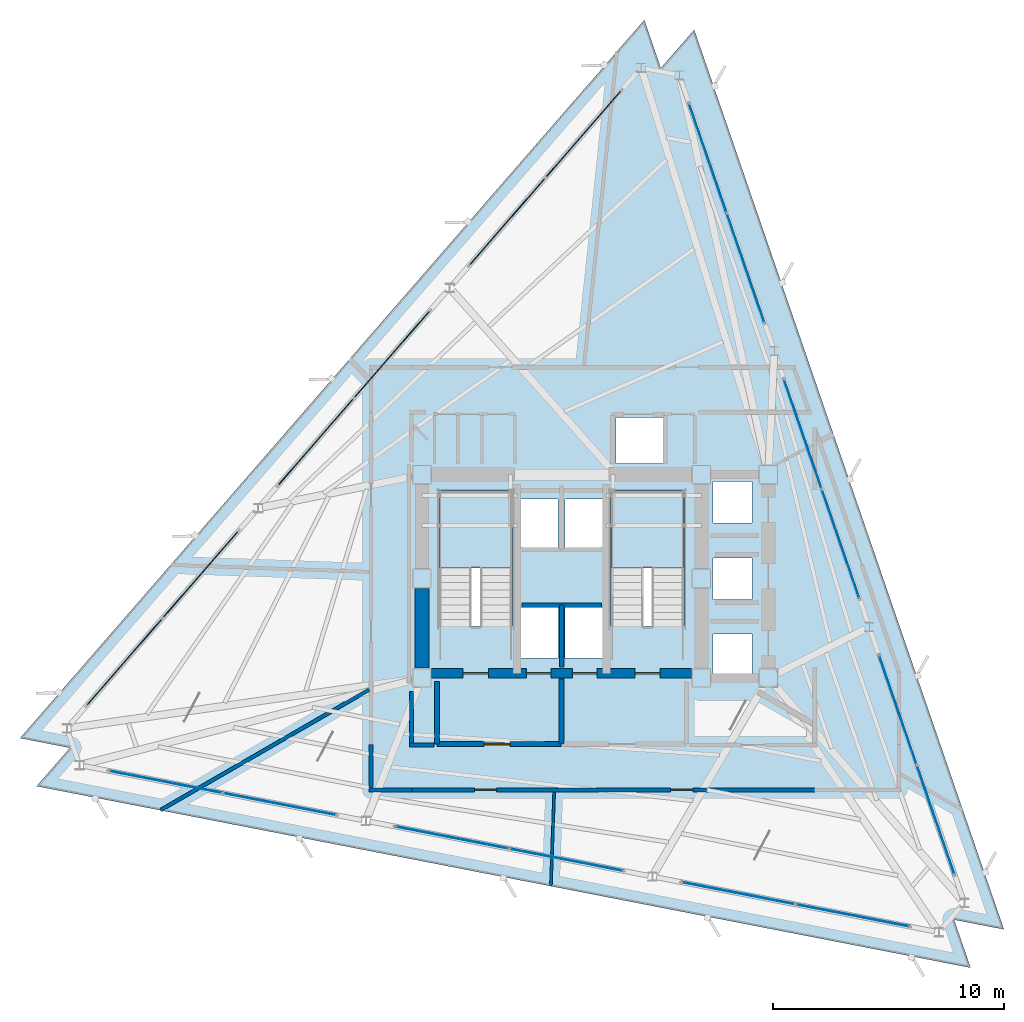
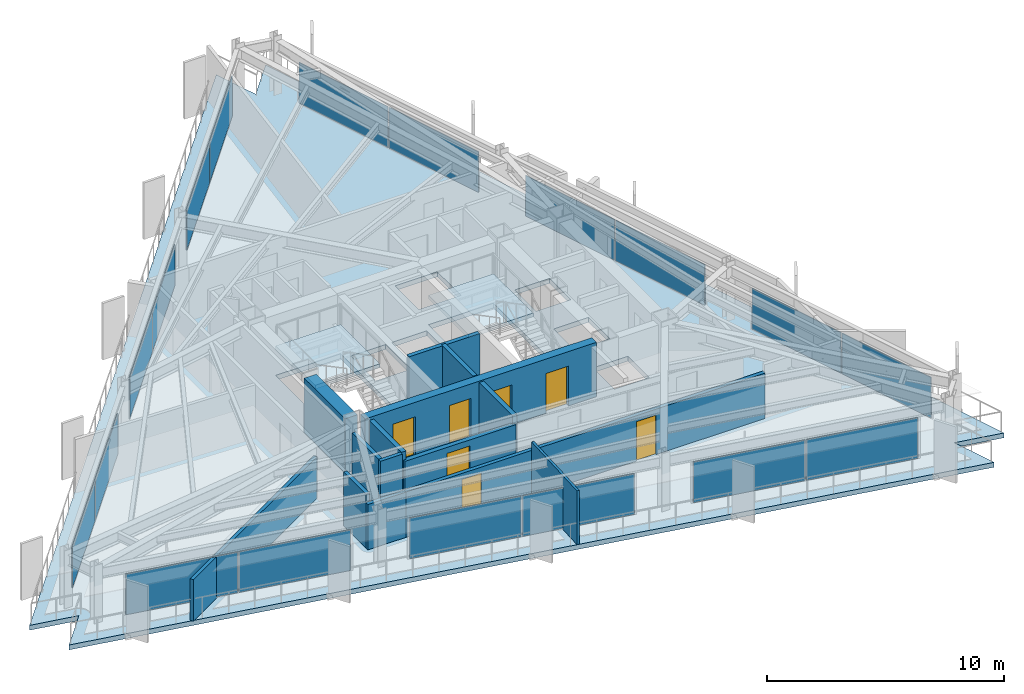
# One storey, part 8 of 13: 18 plates, 14 walls, 7 doors, 3 slabs, 7 openings, 11 elements without a shape of their own.
"""IFC4 building model written with IfcOpenShell, lengths in metres."""

from ifc_helpers import new_model, si_unit, direction, frame, frame_2d, origin, origin_2d, place, context, subcontext, project, spatial, polyline, rectangle, outline, extrude, material, layer, layer_set, type_object, element, fill, aggregate, save


model = new_model("IFC4")

# Units and contexts
model_context = context("Model", 3, precision=1e-05, world=origin(), true_north=direction((0.0, 1.0)))
body_context = subcontext(model_context, "Body", "Model", "MODEL_VIEW")
ifc_project = project(units=[si_unit("LENGTHUNIT", "METRE"), si_unit("AREAUNIT", "SQUARE_METRE"), si_unit("VOLUMEUNIT", "CUBIC_METRE"), si_unit("PLANEANGLEUNIT", "RADIAN"), si_unit("MASSUNIT", "GRAM", prefix="KILO")], contexts=[model_context])

# Site, building, storey
site_placement = place(None, origin())
site = spatial("IfcSite", under=ifc_project, at=site_placement, CompositionType="ELEMENT")
building_placement = place(site_placement, origin())
building = spatial("IfcBuilding", under=site, at=building_placement, Name="Rocaltana Carrier Exchange", CompositionType="ELEMENT")
storey_placement = place(building_placement, frame((0.0, 0.0, 162.39990234375)))
storey = spatial("IfcBuildingStorey", under=building, at=storey_placement, Name="L51", CompositionType="ELEMENT", Elevation=162.39990234375)

# Curtain wall, plates
ifc_material_1 = material(Name="Aluminium 6063-T6", Category="aluminium")
ifc_layer_1 = layer(ifc_material_1, 0.135009765625)
ifc_layer_set_1 = layer_set([ifc_layer_1], Name="Aluminium 6063-T6")
curtain_wall_type = type_object("IfcCurtainWallType", Name="Upper-Mid Acoustic Curtain Wall CW-04", PredefinedType="NOTDEFINED", material=ifc_layer_set_1)
curtain_wall_1_placement = place(storey_placement, origin())
curtain_wall_1 = element("IfcCurtainWall", 1, at=curtain_wall_1_placement, inside=storey, type_object=curtain_wall_type, Name="L51 CW-04 Run CW-L51-F1S1", PredefinedType="NOTDEFINED")
ifc_material_2 = material(Name="Tempered Laminated Glass", Category="glass")
ifc_layer_2 = layer(ifc_material_2, 0.0380859375)
ifc_layer_set_2 = layer_set([ifc_layer_2], Name="Tempered Laminated Glass")
plate_type = type_object("IfcPlateType", Name="CW-04 Stone-Insulated Vision Panel", PredefinedType="CURTAIN_PANEL", material=ifc_layer_set_2)
plate_1_placement = place(storey_placement, frame((16.197021484375, -10.4462890625, 0.065185546875), z_axis=(0.0, 0.0, 1.0), x_axis=(-0.325558788464, 0.945521800517, 0.0)))
plate_1 = element("IfcPlate", 2, at=plate_1_placement, type_object=plate_type, Name="CW-04 panel 1.1", PredefinedType="CURTAIN_PANEL", context=body_context, shape_type="SweptSolid", body=[
    extrude(rectangle(XDim=4.96923828125, YDim=0.0380859375, at=origin_2d()), origin(), (0.0, 0.0, 1.0), 2.087890625),
])
plate_2_placement = place(storey_placement, frame((14.55810546875, -5.686279296875, 0.065185546875), z_axis=(0.0, 0.0, 1.0), x_axis=(-0.325558788464, 0.945521800517, 0.0)))
plate_2 = element("IfcPlate", 3, at=plate_2_placement, type_object=plate_type, Name="CW-04 panel 2.1", PredefinedType="CURTAIN_PANEL", context=body_context, shape_type="SweptSolid", body=[
    extrude(rectangle(XDim=4.96923828125, YDim=0.0380859375, at=origin_2d()), origin(), (0.0, 0.0, 1.0), 2.087890625),
])
aggregate(curtain_wall_1, [plate_1, plate_2])

curtain_wall_2_placement = place(storey_placement, origin())
curtain_wall_2 = element("IfcCurtainWall", 4, at=curtain_wall_2_placement, inside=storey, type_object=curtain_wall_type, Name="L51 CW-04 Run CW-L51-F1S2", PredefinedType="NOTDEFINED")
plate_3_placement = place(storey_placement, frame((12.083984375, 1.498779296875, 0.065185546875), z_axis=(0.0, 0.0, 1.0), x_axis=(-0.32556182622, 0.945520754562, 0.0)))
plate_3 = element("IfcPlate", 5, at=plate_3_placement, type_object=plate_type, Name="CW-04 panel 1.1", PredefinedType="CURTAIN_PANEL", context=body_context, shape_type="SweptSolid", body=[
    extrude(rectangle(XDim=4.96923828125, YDim=0.0380859375, at=origin_2d()), origin(), (0.0, 0.0, 1.0), 2.087890625),
])
plate_4_placement = place(storey_placement, frame((10.445068359375, 6.258544921875, 0.065185546875), z_axis=(0.0, 0.0, 1.0), x_axis=(-0.32556182622, 0.945520754562, 0.0)))
plate_4 = element("IfcPlate", 6, at=plate_4_placement, type_object=plate_type, Name="CW-04 panel 2.1", PredefinedType="CURTAIN_PANEL", context=body_context, shape_type="SweptSolid", body=[
    extrude(rectangle(XDim=4.96923828125, YDim=0.0380859375, at=origin_2d()), origin(), (0.0, 0.0, 1.0), 2.087890625),
])
aggregate(curtain_wall_2, [plate_3, plate_4])

curtain_wall_3_placement = place(storey_placement, origin())
curtain_wall_3 = element("IfcCurtainWall", 7, at=curtain_wall_3_placement, inside=storey, type_object=curtain_wall_type, Name="L51 CW-04 Run CW-L51-F1S3", PredefinedType="NOTDEFINED")
plate_5_placement = place(storey_placement, frame((7.970947265625, 13.44384765625, 0.065185546875), z_axis=(0.0, 0.0, 1.0), x_axis=(-0.325558788464, 0.945521800517, 0.0)))
plate_5 = element("IfcPlate", 8, at=plate_5_placement, type_object=plate_type, Name="CW-04 panel 1.1", PredefinedType="CURTAIN_PANEL", context=body_context, shape_type="SweptSolid", body=[
    extrude(rectangle(XDim=4.96923828125, YDim=0.0380859375, at=origin_2d()), origin(), (0.0, 0.0, 1.0), 2.087890625),
])
plate_6_placement = place(storey_placement, frame((6.33203125, 18.20361328125, 0.065185546875), z_axis=(0.0, 0.0, 1.0), x_axis=(-0.325558788464, 0.945521800517, 0.0)))
plate_6 = element("IfcPlate", 9, at=plate_6_placement, type_object=plate_type, Name="CW-04 panel 2.1", PredefinedType="CURTAIN_PANEL", context=body_context, shape_type="SweptSolid", body=[
    extrude(rectangle(XDim=4.96923828125, YDim=0.0380859375, at=origin_2d()), origin(), (0.0, 0.0, 1.0), 2.087890625),
])
aggregate(curtain_wall_3, [plate_5, plate_6])

curtain_wall_4_placement = place(storey_placement, origin())
curtain_wall_4 = element("IfcCurtainWall", 10, at=curtain_wall_4_placement, inside=storey, type_object=curtain_wall_type, Name="L51 CW-04 Run CW-L51-F2S1", PredefinedType="NOTDEFINED")
plate_7_placement = place(storey_placement, frame((0.9482421875, 19.250244140625, 0.065185546875), z_axis=(0.0, 0.0, 1.0), x_axis=(-0.656056545375, -0.75471173919, 0.0)))
plate_7 = element("IfcPlate", 11, at=plate_7_placement, type_object=plate_type, Name="CW-04 panel 1.1", PredefinedType="CURTAIN_PANEL", context=body_context, shape_type="SweptSolid", body=[
    extrude(rectangle(XDim=4.96923828125, YDim=0.0380859375, at=origin_2d()), origin(), (0.0, 0.0, 1.0), 2.087890625),
])
plate_8_placement = place(storey_placement, frame((-2.3544921875, 15.450927734375, 0.065185546875), z_axis=(0.0, 0.0, 1.0), x_axis=(-0.656056545375, -0.75471173919, 0.0)))
plate_8 = element("IfcPlate", 12, at=plate_8_placement, type_object=plate_type, Name="CW-04 panel 2.1", PredefinedType="CURTAIN_PANEL", context=body_context, shape_type="SweptSolid", body=[
    extrude(rectangle(XDim=4.96923828125, YDim=0.0380859375, at=origin_2d()), origin(), (0.0, 0.0, 1.0), 2.087890625),
])
aggregate(curtain_wall_4, [plate_7, plate_8])

curtain_wall_5_placement = place(storey_placement, origin())
curtain_wall_5 = element("IfcCurtainWall", 13, at=curtain_wall_5_placement, inside=storey, type_object=curtain_wall_type, Name="L51 CW-04 Run CW-L51-F2S2", PredefinedType="NOTDEFINED")
plate_9_placement = place(storey_placement, frame((-7.33984375, 9.7158203125, 0.065185546875), z_axis=(0.0, 0.0, 1.0), x_axis=(-0.656056545375, -0.75471173919, 0.0)))
plate_9 = element("IfcPlate", 14, at=plate_9_placement, type_object=plate_type, Name="CW-04 panel 1.1", PredefinedType="CURTAIN_PANEL", context=body_context, shape_type="SweptSolid", body=[
    extrude(rectangle(XDim=4.96923828125, YDim=0.0380859375, at=origin_2d()), origin(), (0.0, 0.0, 1.0), 2.087890625),
])
plate_10_placement = place(storey_placement, frame((-10.642578125, 5.91650390625, 0.065185546875), z_axis=(0.0, 0.0, 1.0), x_axis=(-0.656056545375, -0.75471173919, 0.0)))
plate_10 = element("IfcPlate", 15, at=plate_10_placement, type_object=plate_type, Name="CW-04 panel 2.1", PredefinedType="CURTAIN_PANEL", context=body_context, shape_type="SweptSolid", body=[
    extrude(rectangle(XDim=4.96923828125, YDim=0.0380859375, at=origin_2d()), origin(), (0.0, 0.0, 1.0), 2.087890625),
])
aggregate(curtain_wall_5, [plate_9, plate_10])

curtain_wall_6_placement = place(storey_placement, origin())
curtain_wall_6 = element("IfcCurtainWall", 16, at=curtain_wall_6_placement, inside=storey, type_object=curtain_wall_type, Name="L51 CW-04 Run CW-L51-F2S3", PredefinedType="NOTDEFINED")
plate_11_placement = place(storey_placement, frame((-15.628173828125, 0.18115234375, 0.065185546875), z_axis=(0.0, 0.0, 1.0), x_axis=(-0.656056545375, -0.75471173919, 0.0)))
plate_11 = element("IfcPlate", 17, at=plate_11_placement, type_object=plate_type, Name="CW-04 panel 1.1", PredefinedType="CURTAIN_PANEL", context=body_context, shape_type="SweptSolid", body=[
    extrude(rectangle(XDim=4.96923828125, YDim=0.0380859375, at=origin_2d()), origin(), (0.0, 0.0, 1.0), 2.087890625),
])
plate_12_placement = place(storey_placement, frame((-18.930908203125, -3.6181640625, 0.065185546875), z_axis=(0.0, 0.0, 1.0), x_axis=(-0.656056545375, -0.75471173919, 0.0)))
plate_12 = element("IfcPlate", 18, at=plate_12_placement, type_object=plate_type, Name="CW-04 panel 2.1", PredefinedType="CURTAIN_PANEL", context=body_context, shape_type="SweptSolid", body=[
    extrude(rectangle(XDim=4.96923828125, YDim=0.0380859375, at=origin_2d()), origin(), (0.0, 0.0, 1.0), 2.087890625),
])
aggregate(curtain_wall_6, [plate_11, plate_12])

curtain_wall_7_placement = place(storey_placement, origin())
curtain_wall_7 = element("IfcCurtainWall", 19, at=curtain_wall_7_placement, inside=storey, type_object=curtain_wall_type, Name="L51 CW-04 Run CW-L51-F3S1", PredefinedType="NOTDEFINED")
plate_13_placement = place(storey_placement, frame((-17.145263671875, -8.803955078125, 0.065185546875), z_axis=(0.0, 0.0, 1.0), x_axis=(0.981628278569, -0.190803361378, 0.0)))
plate_13 = element("IfcPlate", 20, at=plate_13_placement, type_object=plate_type, Name="CW-04 panel 1.1", PredefinedType="CURTAIN_PANEL", context=body_context, shape_type="SweptSolid", body=[
    extrude(rectangle(XDim=4.96923828125, YDim=0.0380859375, at=origin_2d()), origin(), (0.0, 0.0, 1.0), 2.087890625),
])
plate_14_placement = place(storey_placement, frame((-12.20361328125, -9.764404296875, 0.065185546875), z_axis=(0.0, 0.0, 1.0), x_axis=(0.981628278569, -0.190803361378, 0.0)))
plate_14 = element("IfcPlate", 21, at=plate_14_placement, type_object=plate_type, Name="CW-04 panel 2.1", PredefinedType="CURTAIN_PANEL", context=body_context, shape_type="SweptSolid", body=[
    extrude(rectangle(XDim=4.96923828125, YDim=0.0380859375, at=origin_2d()), origin(), (0.0, 0.0, 1.0), 2.087890625),
])
aggregate(curtain_wall_7, [plate_13, plate_14])

curtain_wall_8_placement = place(storey_placement, origin())
curtain_wall_8 = element("IfcCurtainWall", 22, at=curtain_wall_8_placement, inside=storey, type_object=curtain_wall_type, Name="L51 CW-04 Run CW-L51-F3S2", PredefinedType="NOTDEFINED")
plate_15_placement = place(storey_placement, frame((-4.744140625, -11.21435546875, 0.065185546875), z_axis=(0.0, 0.0, 1.0), x_axis=(0.981626070913, -0.190814718784, 0.0)))
plate_15 = element("IfcPlate", 23, at=plate_15_placement, type_object=plate_type, Name="CW-04 panel 1.1", PredefinedType="CURTAIN_PANEL", context=body_context, shape_type="SweptSolid", body=[
    extrude(rectangle(XDim=4.96923828125, YDim=0.0380859375, at=origin_2d()), origin(), (0.0, 0.0, 1.0), 2.087890625),
])
plate_16_placement = place(storey_placement, frame((0.19775390625, -12.175048828125, 0.065185546875), z_axis=(0.0, 0.0, 1.0), x_axis=(0.981626070913, -0.190814718784, 0.0)))
plate_16 = element("IfcPlate", 24, at=plate_16_placement, type_object=plate_type, Name="CW-04 panel 2.1", PredefinedType="CURTAIN_PANEL", context=body_context, shape_type="SweptSolid", body=[
    extrude(rectangle(XDim=4.96923828125, YDim=0.0380859375, at=origin_2d()), origin(), (0.0, 0.0, 1.0), 2.087890625),
])
aggregate(curtain_wall_8, [plate_15, plate_16])

curtain_wall_9_placement = place(storey_placement, origin())
curtain_wall_9 = element("IfcCurtainWall", 25, at=curtain_wall_9_placement, inside=storey, type_object=curtain_wall_type, Name="L51 CW-04 Run CW-L51-F3S3", PredefinedType="NOTDEFINED")
plate_17_placement = place(storey_placement, frame((7.6572265625, -13.625, 0.065185546875), z_axis=(0.0, 0.0, 1.0), x_axis=(0.981627919301, -0.190805209699, 0.0)))
plate_17 = element("IfcPlate", 26, at=plate_17_placement, type_object=plate_type, Name="CW-04 panel 1.1", PredefinedType="CURTAIN_PANEL", context=body_context, shape_type="SweptSolid", body=[
    extrude(rectangle(XDim=4.96923828125, YDim=0.0380859375, at=origin_2d()), origin(), (0.0, 0.0, 1.0), 2.087890625),
])
plate_18_placement = place(storey_placement, frame((12.598876953125, -14.58544921875, 0.065185546875), z_axis=(0.0, 0.0, 1.0), x_axis=(0.981627919301, -0.190805209699, 0.0)))
plate_18 = element("IfcPlate", 27, at=plate_18_placement, type_object=plate_type, Name="CW-04 panel 2.1", PredefinedType="CURTAIN_PANEL", context=body_context, shape_type="SweptSolid", body=[
    extrude(rectangle(XDim=4.96923828125, YDim=0.0380859375, at=origin_2d()), origin(), (0.0, 0.0, 1.0), 2.087890625),
])
aggregate(curtain_wall_9, [plate_17, plate_18])

# Slab
ifc_material_3 = material(Name="Concrete C50/60", Category="concrete")
ifc_layer_3 = layer(ifc_material_3, 0.25)
ifc_layer_set_3 = layer_set([ifc_layer_3], Name="Concrete C50/60")
slab_type_1 = type_object("IfcSlabType", Name="Mid-Zone Tower Slab 250", PredefinedType="FLOOR", material=ifc_layer_set_3)
slab_1_placement = place(storey_placement, frame((0.0, 0.0, -0.25)))
element("IfcSlab", 28, at=slab_1_placement, inside=storey, type_object=slab_type_1, Name="L51 Structural Floor Slab", PredefinedType="FLOOR", context=body_context, shape_type="SweptSolid", body=[
    extrude(outline(polyline([(17.709716796875, -16.852294921875), (16.993408203125, -14.772216796875), (19.153076171875, -15.19189453125), (5.73974609375, 23.76318359375), (4.29638671875, 22.10302734375), (3.580078125, 24.18310546875), (-23.449462890625, -6.910888671875), (-21.289794921875, -7.330810546875), (-22.7333984375, -8.9912109375), (17.709716796875, -16.852294921875)]), holes=[polyline([(-5.300048828125, -2.06005859375), (-2.139892578125, -2.06005859375), (-2.139892578125, 3.800048828125), (-5.300048828125, 3.800048828125), (-5.300048828125, -2.06005859375)]), polyline([(2.139892578125, -2.06005859375), (5.300048828125, -2.06005859375), (5.300048828125, 3.800048828125), (2.139892578125, 3.800048828125), (2.139892578125, -2.06005859375)]), polyline([(-1.85009765625, -3.449951171875), (-0.14990234375, -3.449951171875), (-0.14990234375, -1.25), (-1.85009765625, -1.25), (-1.85009765625, -3.449951171875)]), polyline([(0.14990234375, -3.449951171875), (1.85009765625, -3.449951171875), (1.85009765625, -1.25), (0.14990234375, -1.25), (0.14990234375, -3.449951171875)]), polyline([(2.35009765625, 4.97998046875), (4.39990234375, 4.97998046875), (4.39990234375, 6.97998046875), (2.35009765625, 6.97998046875), (2.35009765625, 4.97998046875)]), polyline([(-1.85009765625, 1.35009765625), (-0.14990234375, 1.35009765625), (-0.14990234375, 3.449951171875), (-1.85009765625, 3.449951171875), (-1.85009765625, 1.35009765625)]), polyline([(0.14990234375, 1.35009765625), (1.85009765625, 1.35009765625), (1.85009765625, 3.449951171875), (0.14990234375, 3.449951171875), (0.14990234375, 1.35009765625)]), polyline([(6.550048828125, -4.199951171875), (8.25, -4.199951171875), (8.25, -2.39990234375), (6.550048828125, -2.39990234375), (6.550048828125, -4.199951171875)]), polyline([(6.550048828125, -0.89990234375), (8.25, -0.89990234375), (8.25, 0.89990234375), (6.550048828125, 0.89990234375), (6.550048828125, -0.89990234375)]), polyline([(6.550048828125, 2.39990234375), (8.25, 2.39990234375), (8.25, 4.199951171875), (6.550048828125, 4.199951171875), (6.550048828125, 2.39990234375)])]), origin(), (0.0, 0.0, 1.0), 0.25),
])

# Stair, slab
ifc_material_4 = material(Name="Precast concrete C45/55", Category="concrete")
stair_type = type_object("IfcStairType", Name="Standard Dog-Leg Stair 160", PredefinedType="HALF_TURN_STAIR", material=ifc_material_4)
stair_1_placement = place(storey_placement, origin())
stair_1 = element("IfcStair", 29, at=stair_1_placement, inside=storey, type_object=stair_type, Name="L51 Core West Exit Stair ST-1", PredefinedType="HALF_TURN_STAIR")
ifc_material_5 = material(Name="Precast concrete C45/55", Category="concrete")
ifc_layer_4 = layer(ifc_material_5, 0.199951171875)
ifc_layer_set_4 = layer_set([ifc_layer_4], Name="Precast concrete C45/55")
slab_type_2 = type_object("IfcSlabType", Name="Precast Stair Half-Landing 200", PredefinedType="LANDING", material=ifc_layer_set_4)
slab_2_placement = place(storey_placement, frame((0.0, 0.0, 1.320068359375)))
slab_2 = element("IfcSlab", 30, at=slab_2_placement, type_object=slab_type_2, Name="ST-1 landing 1", PredefinedType="LANDING", context=body_context, shape_type="SweptSolid", body=[
    extrude(outline(polyline([(-2.139892578125, 0.4599609375), (-2.139892578125, 3.800048828125), (-5.300048828125, 3.800048828125), (-5.300048828125, 0.4599609375), (-2.139892578125, 0.4599609375)])), origin(), (0.0, 0.0, 1.0), 0.199951171875),
])
aggregate(stair_1, [slab_2])

stair_2_placement = place(storey_placement, origin())
stair_2 = element("IfcStair", 31, at=stair_2_placement, inside=storey, type_object=stair_type, Name="L51 Core East Exit Stair ST-2", PredefinedType="HALF_TURN_STAIR")
slab_3_placement = place(storey_placement, frame((0.0, 0.0, 1.320068359375)))
slab_3 = element("IfcSlab", 32, at=slab_3_placement, type_object=slab_type_2, Name="ST-2 landing 1", PredefinedType="LANDING", context=body_context, shape_type="SweptSolid", body=[
    extrude(outline(polyline([(5.300048828125, 0.4599609375), (5.300048828125, 3.800048828125), (2.139892578125, 3.800048828125), (2.139892578125, 0.4599609375), (5.300048828125, 0.4599609375)])), origin(), (0.0, 0.0, 1.0), 0.199951171875),
])
aggregate(stair_2, [slab_3])

# Wall
ifc_material_6 = material(Name="Double Acoustic Gypsum Partition", Category="gypsum")
ifc_layer_5 = layer(ifc_material_6, 0.159912109375)
ifc_layer_set_5 = layer_set([ifc_layer_5], Name="Double Acoustic Gypsum Partition")
wall_type_1 = type_object("IfcWallType", Name="Acoustic Studio Partition 160 EI60", PredefinedType="PARTITIONING", material=ifc_layer_set_5)
wall_1_placement = place(storey_placement, frame((-8.330078125, -4.809326171875, 0.0), z_axis=(0.0, 0.0, 1.0), x_axis=(-0.866024997974, -0.500000702884, 0.0)))
element("IfcWall", 33, at=wall_1_placement, inside=storey, type_object=wall_type_1, Name="L51 Suite Divider Wall D1", PredefinedType="PARTITIONING", context=body_context, shape_type="SweptSolid", body=[
    extrude(rectangle(XDim=10.4306640625, YDim=0.159912109375, at=frame_2d((5.21533203125, 0.0))), origin(), (0.0, 0.0, 1.0), 2.132080078125),
])

# Wall, openings, doors
ifc_material_7 = material(Name="Concrete C50/60", Category="concrete")
ifc_layer_6 = layer(ifc_material_7, 0.39990234375)
ifc_layer_set_6 = layer_set([ifc_layer_6], Name="Concrete C50/60")
wall_type_2 = type_object("IfcWallType", Name="Core Internal Shear Wall 400", PredefinedType="SHEAR", material=ifc_layer_set_6)
wall_2_placement = place(storey_placement, frame((-5.625, -4.10009765625, 0.0), z_axis=(0.0, 0.0, 1.0), x_axis=(1.0, 0.0, 0.0)))
wall_2 = element("IfcWall", 34, at=wall_2_placement, inside=storey, type_object=wall_type_2, Name="L51 Core Shear Wall CW-S", PredefinedType="SHEAR", context=body_context, shape_type="SweptSolid", body=[
    extrude(rectangle(XDim=11.25, YDim=0.39990234375, at=frame_2d((5.625, 0.0))), origin(), (0.0, 0.0, 1.0), 2.7880859375),
])
opening_1_placement = place(wall_2_placement, frame((1.35498046875, 0.0, 0.0)))
opening_1 = element("IfcOpeningElement", 35, at=opening_1_placement, cuts=wall_2, Name="Opening D-ST110", PredefinedType="OPENING", context=body_context, shape_type="SweptSolid", body=[
    extrude(rectangle(XDim=1.10009765625, YDim=2.0400390625, at=frame_2d((0.550048828125, 1.02001953125))), frame((0.0, 0.2099609375, 0.0), z_axis=(0.0, -1.0, 0.0), x_axis=(1.0, 0.0, 0.0)), (0.0, 0.0, 1.0), 0.419921875),
])
opening_2_placement = place(wall_2_placement, frame((8.794921875, 0.0, 0.0)))
opening_2 = element("IfcOpeningElement", 36, at=opening_2_placement, cuts=wall_2, Name="Opening D-ST110", PredefinedType="OPENING", context=body_context, shape_type="SweptSolid", body=[
    extrude(rectangle(XDim=1.10009765625, YDim=2.0400390625, at=frame_2d((0.550048828125, 1.02001953125))), frame((0.0, 0.2099609375, 0.0), z_axis=(0.0, -1.0, 0.0), x_axis=(1.0, 0.0, 0.0)), (0.0, 0.0, 1.0), 0.419921875),
])
opening_3_placement = place(wall_2_placement, frame((4.094970703125, 0.0, 0.0)))
opening_3 = element("IfcOpeningElement", 37, at=opening_3_placement, cuts=wall_2, Name="Opening LD-110", PredefinedType="OPENING", context=body_context, shape_type="SweptSolid", body=[
    extrude(rectangle(XDim=1.06005859375, YDim=2.0400390625, at=frame_2d((0.530029296875, 1.02001953125))), frame((0.0, 0.2099609375, 0.0), z_axis=(0.0, -1.0, 0.0), x_axis=(1.0, 0.0, 0.0)), (0.0, 0.0, 1.0), 0.419921875),
])
opening_4_placement = place(wall_2_placement, frame((6.094970703125, 0.0, 0.0)))
opening_4 = element("IfcOpeningElement", 38, at=opening_4_placement, cuts=wall_2, Name="Opening LD-110", PredefinedType="OPENING", context=body_context, shape_type="SweptSolid", body=[
    extrude(rectangle(XDim=1.06005859375, YDim=2.0400390625, at=frame_2d((0.530029296875, 1.02001953125))), frame((0.0, 0.2099609375, 0.0), z_axis=(0.0, -1.0, 0.0), x_axis=(1.0, 0.0, 0.0)), (0.0, 0.0, 1.0), 0.419921875),
])
ifc_material_8 = material(Name="Hollow Metal Fire Door Assembly", Category="steel")
door_type_1 = type_object("IfcDoorType", Name="Exit Stair Fire Door 1100x2040 FD90S", OperationType="NOTDEFINED", PredefinedType="DOOR", material=ifc_material_8)
door_1_placement = place(opening_1_placement, origin())
door_1 = element("IfcDoor", 39, at=door_1_placement, inside=storey, type_object=door_type_1, Name="L51 Exit Stair ST1 Fire Door", OperationType="SINGLE_SWING_RIGHT", OverallHeight=2.0400390625, OverallWidth=1.10009765625, PredefinedType="DOOR", context=body_context, shape_type="SweptSolid", body=[
    extrude(rectangle(XDim=1.10009765625, YDim=2.0400390625, at=frame_2d((0.550048828125, 1.02001953125))), frame((0.0, 0.02490234375, 0.0), z_axis=(0.0, -1.0, 0.0), x_axis=(1.0, 0.0, 0.0)), (0.0, 0.0, 1.0), 0.050048828125),
])
fill(opening_1, door_1)
door_2_placement = place(opening_2_placement, origin())
door_2 = element("IfcDoor", 40, at=door_2_placement, inside=storey, type_object=door_type_1, Name="L51 Exit Stair ST2 Fire Door", OperationType="SINGLE_SWING_LEFT", OverallHeight=2.0400390625, OverallWidth=1.10009765625, PredefinedType="DOOR", context=body_context, shape_type="SweptSolid", body=[
    extrude(rectangle(XDim=1.10009765625, YDim=2.0400390625, at=frame_2d((0.550048828125, 1.02001953125))), frame((0.0, 0.02490234375, 0.0), z_axis=(0.0, -1.0, 0.0), x_axis=(1.0, 0.0, 0.0)), (0.0, 0.0, 1.0), 0.050048828125),
])
fill(opening_2, door_2)
ifc_material_9 = material(Name="Brushed Stainless Sliding Door Leaf", Category="steel")
door_type_2 = type_object("IfcDoorType", Name="Lift Landing Sliding Door 1060x2040", OperationType="NOTDEFINED", PredefinedType="DOOR", material=ifc_material_9)
door_3_placement = place(opening_3_placement, origin())
door_3 = element("IfcDoor", 41, at=door_3_placement, inside=storey, type_object=door_type_2, Name="L51 Firefighting Lift FFL1 Landing Door", OperationType="SLIDING_TO_LEFT", OverallHeight=2.0400390625, OverallWidth=1.06005859375, PredefinedType="DOOR", context=body_context, shape_type="SweptSolid", body=[
    extrude(rectangle(XDim=1.06005859375, YDim=2.0400390625, at=frame_2d((0.530029296875, 1.02001953125))), frame((0.0, 0.02490234375, 0.0), z_axis=(0.0, -1.0, 0.0), x_axis=(1.0, 0.0, 0.0)), (0.0, 0.0, 1.0), 0.050048828125),
])
fill(opening_3, door_3)
door_4_placement = place(opening_4_placement, origin())
door_4 = element("IfcDoor", 42, at=door_4_placement, inside=storey, type_object=door_type_2, Name="L51 Firefighting Lift FFL2 Landing Door", OperationType="SLIDING_TO_RIGHT", OverallHeight=2.0400390625, OverallWidth=1.06005859375, PredefinedType="DOOR", context=body_context, shape_type="SweptSolid", body=[
    extrude(rectangle(XDim=1.06005859375, YDim=2.0400390625, at=frame_2d((0.530029296875, 1.02001953125))), frame((0.0, 0.02490234375, 0.0), z_axis=(0.0, -1.0, 0.0), x_axis=(1.0, 0.0, 0.0)), (0.0, 0.0, 1.0), 0.050048828125),
])
fill(opening_4, door_4)

# Walls
ifc_material_10 = material(Name="Concrete C50/60", Category="concrete")
ifc_layer_7 = layer(ifc_material_10, 0.60009765625)
ifc_layer_set_7 = layer_set([ifc_layer_7], Name="Concrete C50/60")
wall_type_3 = type_object("IfcWallType", Name="Core Shear Wall 600", PredefinedType="SHEAR", material=ifc_layer_set_7)
wall_3_placement = place(storey_placement, frame((-6.050048828125, -3.875, 0.0), z_axis=(0.0, 0.0, 1.0), x_axis=(0.0, 1.0, 0.0)))
element("IfcWall", 43, at=wall_3_placement, inside=storey, type_object=wall_type_3, Name="L51 Core Shear Wall CW-WS", PredefinedType="SHEAR", context=body_context, shape_type="SweptSolid", body=[
    extrude(rectangle(XDim=3.449951171875, YDim=0.60009765625, at=frame_2d((1.72509765625, 0.0))), origin(), (0.0, 0.0, 1.0), 2.7880859375),
])
ifc_material_11 = material(Name="Gypsum & Steel Stud Partition", Category="steel")
ifc_layer_8 = layer(ifc_material_11, 0.179931640625)
ifc_layer_set_8 = layer_set([ifc_layer_8], Name="Gypsum & Steel Stud Partition")
wall_type_4 = type_object("IfcWallType", Name="Corridor Fire Partition 180 EI60", PredefinedType="PARTITIONING", material=ifc_layer_set_8)
wall_4_placement = place(storey_placement, frame((-6.47998046875, -9.14990234375, 0.0), z_axis=(0.0, 0.0, 1.0), x_axis=(-1.0, 0.0, 0.0)))
element("IfcWall", 44, at=wall_4_placement, inside=storey, type_object=wall_type_4, Name="L51 Corridor Partition 1", PredefinedType="PARTITIONING", context=body_context, shape_type="SweptSolid", body=[
    extrude(rectangle(XDim=1.860107421875, YDim=0.179931640625, at=frame_2d((0.93017578125, 0.0))), origin(), (0.0, 0.0, 1.0), 2.330078125),
])
wall_5_placement = place(storey_placement, frame((-8.25, -9.06005859375, 0.0), z_axis=(0.0, 0.0, 1.0), x_axis=(0.0, 1.0, 0.0)))
element("IfcWall", 45, at=wall_5_placement, inside=storey, type_object=wall_type_4, Name="L51 Corridor Partition 2", PredefinedType="PARTITIONING", context=body_context, shape_type="SweptSolid", body=[
    extrude(rectangle(XDim=1.880126953125, YDim=0.179931640625, at=frame_2d((0.93994140625, 0.0))), origin(), (0.0, 0.0, 1.0), 2.76318359375),
])
wall_6_placement = place(storey_placement, frame((-6.5, -4.8798828125, 0.0), z_axis=(0.0, 0.0, 1.0), x_axis=(0.0, -1.0, 0.0)))
element("IfcWall", 46, at=wall_6_placement, inside=storey, type_object=wall_type_4, Name="L51 Corridor Partition 12", PredefinedType="PARTITIONING", context=body_context, shape_type="SweptSolid", body=[
    extrude(rectangle(XDim=2.230224609375, YDim=0.179931640625, at=frame_2d((1.115234375, 0.0))), origin(), (0.0, 0.0, 1.0), 2.76318359375),
])
wall_7_placement = place(storey_placement, frame((-6.590087890625, -7.199951171875, 0.0), z_axis=(0.0, 0.0, 1.0), x_axis=(1.0, 0.0, 0.0)))
element("IfcWall", 47, at=wall_7_placement, inside=storey, type_object=wall_type_4, Name="L51 Corridor Partition 13", PredefinedType="PARTITIONING", context=body_context, shape_type="SweptSolid", body=[
    extrude(rectangle(XDim=1.06005859375, YDim=0.179931640625, at=frame_2d((0.530029296875, 0.0))), origin(), (0.0, 0.0, 1.0), 2.76318359375),
])

# Wall, openings, doors
wall_8_placement = place(storey_placement, frame((10.97998046875, -9.14990234375, 0.0), z_axis=(0.0, 0.0, 1.0), x_axis=(-1.0, 0.0, 0.0)))
wall_8 = element("IfcWall", 48, at=wall_8_placement, inside=storey, type_object=wall_type_4, Name="L51 Corridor Partition 21", PredefinedType="PARTITIONING", context=body_context, shape_type="SweptSolid", body=[
    extrude(rectangle(XDim=17.5, YDim=0.179931640625, at=frame_2d((8.75, 0.0))), origin(), (0.0, 0.0, 1.0), 2.330078125),
])
opening_5_placement = place(wall_8_placement, frame((13.791015625, 0.0, 0.0)))
opening_5 = element("IfcOpeningElement", 49, at=opening_5_placement, cuts=wall_8, Name="Opening D-RM098", PredefinedType="OPENING", context=body_context, shape_type="SweptSolid", body=[
    extrude(rectangle(XDim=0.9599609375, YDim=2.02001953125, at=frame_2d((0.47998046875, 1.010009765625))), frame((0.0, 0.099853515625, 0.0), z_axis=(0.0, -1.0, 0.0), x_axis=(1.0, 0.0, 0.0)), (0.0, 0.0, 1.0), 0.199951171875),
])
opening_6_placement = place(wall_8_placement, frame((5.301513671875, 0.0, 0.0)))
opening_6 = element("IfcOpeningElement", 50, at=opening_6_placement, cuts=wall_8, Name="Opening D-RM098", PredefinedType="OPENING", context=body_context, shape_type="SweptSolid", body=[
    extrude(rectangle(XDim=0.9599609375, YDim=2.02001953125, at=frame_2d((0.47998046875, 1.010009765625))), frame((0.0, 0.099853515625, 0.0), z_axis=(0.0, -1.0, 0.0), x_axis=(1.0, 0.0, 0.0)), (0.0, 0.0, 1.0), 0.199951171875),
])
ifc_material_12 = material(Name="Engineered Hardwood Timber", Category="wood")
door_type_3 = type_object("IfcDoorType", Name="Workspace Single Door 960x2020", OperationType="NOTDEFINED", PredefinedType="DOOR", material=ifc_material_12)
door_5_placement = place(opening_5_placement, origin())
door_5 = element("IfcDoor", 51, at=door_5_placement, inside=storey, type_object=door_type_3, Name="L51 Quiet Focus Lounge Entrance Door", OperationType="SINGLE_SWING_LEFT", OverallHeight=2.02001953125, OverallWidth=0.9599609375, PredefinedType="DOOR", context=body_context, shape_type="SweptSolid", body=[
    extrude(rectangle(XDim=0.9599609375, YDim=2.02001953125, at=frame_2d((0.47998046875, 1.010009765625))), frame((0.0, 0.02490234375, 0.0), z_axis=(0.0, -1.0, 0.0), x_axis=(1.0, 0.0, 0.0)), (0.0, 0.0, 1.0), 0.050048828125),
])
fill(opening_5, door_5)
door_6_placement = place(opening_6_placement, origin())
door_6 = element("IfcDoor", 52, at=door_6_placement, inside=storey, type_object=door_type_3, Name="L51 Cloud Architecture Office Entrance Door", OperationType="SINGLE_SWING_RIGHT", OverallHeight=2.02001953125, OverallWidth=0.9599609375, PredefinedType="DOOR", context=body_context, shape_type="SweptSolid", body=[
    extrude(rectangle(XDim=0.9599609375, YDim=2.02001953125, at=frame_2d((0.47998046875, 1.010009765625))), frame((0.0, 0.02490234375, 0.0), z_axis=(0.0, -1.0, 0.0), x_axis=(1.0, 0.0, 0.0)), (0.0, 0.0, 1.0), 0.050048828125),
])
fill(opening_6, door_6)

# Walls
ifc_material_13 = material(Name="Aluminium 6063-T6 & Acoustic Glass", Category="aluminium")
ifc_layer_9 = layer(ifc_material_13, 0.114990234375)
ifc_layer_set_9 = layer_set([ifc_layer_9], Name="Aluminium 6063-T6 & Acoustic Glass")
wall_type_5 = type_object("IfcWallType", Name="Demountable Glazed Lab Partition 115", PredefinedType="MOVABLE", material=ifc_layer_set_9)
wall_9_placement = place(storey_placement, frame((-0.322265625, -9.22998046875, 0.0), z_axis=(0.0, 0.0, 1.0), x_axis=(-0.034927807623, -0.999389837978, 0.0)))
element("IfcWall", 53, at=wall_9_placement, inside=storey, type_object=wall_type_5, Name="L51 Suite Divider Wall D2", PredefinedType="MOVABLE", context=body_context, shape_type="SweptSolid", body=[
    extrude(rectangle(XDim=4.08203125, YDim=0.114990234375, at=frame_2d((2.041015625, 0.0))), origin(), (0.0, 0.0, 1.0), 2.76318359375),
])
ifc_material_14 = material(Name="Autoclaved Aerated Concrete C30/37", Category="concrete")
ifc_layer_10 = layer(ifc_material_14, 0.219970703125)
ifc_layer_set_10 = layer_set([ifc_layer_10], Name="Autoclaved Aerated Concrete C30/37")
wall_type_6 = type_object("IfcWallType", Name="Firefighting Lobby Wall 220 EI120", PredefinedType="PARTITIONING", material=ifc_layer_set_10)
wall_10_placement = place(storey_placement, frame((-5.39990234375, -7.159912109375, 0.0), z_axis=(0.0, 0.0, 1.0), x_axis=(0.0, 1.0, 0.0)))
element("IfcWall", 54, at=wall_10_placement, inside=storey, type_object=wall_type_6, Name="L51 FFL Lobby 1 West Wall", PredefinedType="PARTITIONING", context=body_context, shape_type="SweptSolid", body=[
    extrude(rectangle(XDim=2.7099609375, YDim=0.219970703125, at=frame_2d((1.35498046875, 0.0))), origin(), (0.0, 0.0, 1.0), 2.76318359375),
])
wall_11_placement = place(storey_placement, frame((0.0, -7.159912109375, 0.0), z_axis=(0.0, 0.0, 1.0), x_axis=(0.0, 1.0, 0.0)))
element("IfcWall", 55, at=wall_11_placement, inside=storey, type_object=wall_type_6, Name="L51 FFL Lobby Centre Wall", PredefinedType="PARTITIONING", context=body_context, shape_type="SweptSolid", body=[
    extrude(rectangle(XDim=2.809814453125, YDim=0.219970703125, at=frame_2d((1.40478515625, 0.0))), origin(), (0.0, 0.0, 1.0), 2.76318359375),
])

# Wall, opening, door
wall_12_placement = place(storey_placement, frame((-5.39990234375, -7.159912109375, 0.0), z_axis=(0.0, 0.0, 1.0), x_axis=(1.0, 0.0, 0.0)))
wall_12 = element("IfcWall", 56, at=wall_12_placement, inside=storey, type_object=wall_type_6, Name="L51 FFL Lobby 1 South Wall", PredefinedType="PARTITIONING", context=body_context, shape_type="SweptSolid", body=[
    extrude(rectangle(XDim=5.39990234375, YDim=0.219970703125, at=frame_2d((2.699951171875, 0.0))), origin(), (0.0, 0.0, 1.0), 2.330078125),
])
opening_7_placement = place(wall_12_placement, frame((2.050048828125, 0.0, 0.0)))
opening_7 = element("IfcOpeningElement", 57, at=opening_7_placement, cuts=wall_12, Name="Opening D-FF115", PredefinedType="OPENING", context=body_context, shape_type="SweptSolid", body=[
    extrude(rectangle(XDim=1.1201171875, YDim=2.02001953125, at=frame_2d((0.56005859375, 1.010009765625))), frame((0.0, 0.119873046875, 0.0), z_axis=(0.0, -1.0, 0.0), x_axis=(1.0, 0.0, 0.0)), (0.0, 0.0, 1.0), 0.239990234375),
])
ifc_material_15 = material(Name="Hollow Metal Fire Door Assembly", Category="steel")
door_type_4 = type_object("IfcDoorType", Name="Firefighting Lobby Door 1120x2020 FD60S", OperationType="NOTDEFINED", PredefinedType="DOOR", material=ifc_material_15)
door_7_placement = place(opening_7_placement, origin())
door_7 = element("IfcDoor", 58, at=door_7_placement, inside=storey, type_object=door_type_4, Name="L51 Firefighting Lift Lobby 1 Door", OperationType="SINGLE_SWING_RIGHT", OverallHeight=2.02001953125, OverallWidth=1.1201171875, PredefinedType="DOOR", context=body_context, shape_type="SweptSolid", body=[
    extrude(rectangle(XDim=1.1201171875, YDim=2.02001953125, at=frame_2d((0.56005859375, 1.010009765625))), frame((0.0, 0.02490234375, 0.0), z_axis=(0.0, -1.0, 0.0), x_axis=(1.0, 0.0, 0.0)), (0.0, 0.0, 1.0), 0.050048828125),
])
fill(opening_7, door_7)

# Walls
ifc_material_16 = material(Name="Reinforced Concrete Block C35/45", Category="concrete")
ifc_layer_11 = layer(ifc_material_16, 0.199951171875)
ifc_layer_set_11 = layer_set([ifc_layer_11], Name="Reinforced Concrete Block C35/45")
wall_type_7 = type_object("IfcWallType", Name="Lift Hoistway Enclosure Wall 200 EI120", PredefinedType="PARTITIONING", material=ifc_layer_set_11)
wall_13_placement = place(storey_placement, frame((0.0, -3.820068359375, 0.0), z_axis=(0.0, 0.0, 1.0), x_axis=(0.0, 1.0, 0.0)))
element("IfcWall", 59, at=wall_13_placement, inside=storey, type_object=wall_type_7, Name="L51 FFL Shaft Divider", PredefinedType="PARTITIONING", context=body_context, shape_type="SweptSolid", body=[
    extrude(rectangle(XDim=2.670166015625, YDim=0.199951171875, at=frame_2d((1.3349609375, 0.0))), origin(), (0.0, 0.0, 1.0), 2.76318359375),
])
wall_14_placement = place(storey_placement, frame((-1.719970703125, -1.14990234375, 0.0), z_axis=(0.0, 0.0, 1.0), x_axis=(1.0, 0.0, 0.0)))
element("IfcWall", 60, at=wall_14_placement, inside=storey, type_object=wall_type_7, Name="L51 FFL Shaft Back Wall", PredefinedType="PARTITIONING", context=body_context, shape_type="SweptSolid", body=[
    extrude(rectangle(XDim=3.43994140625, YDim=0.199951171875, at=frame_2d((1.719970703125, 0.0))), origin(), (0.0, 0.0, 1.0), 2.76318359375),
])

save(model, "model.ifc")
